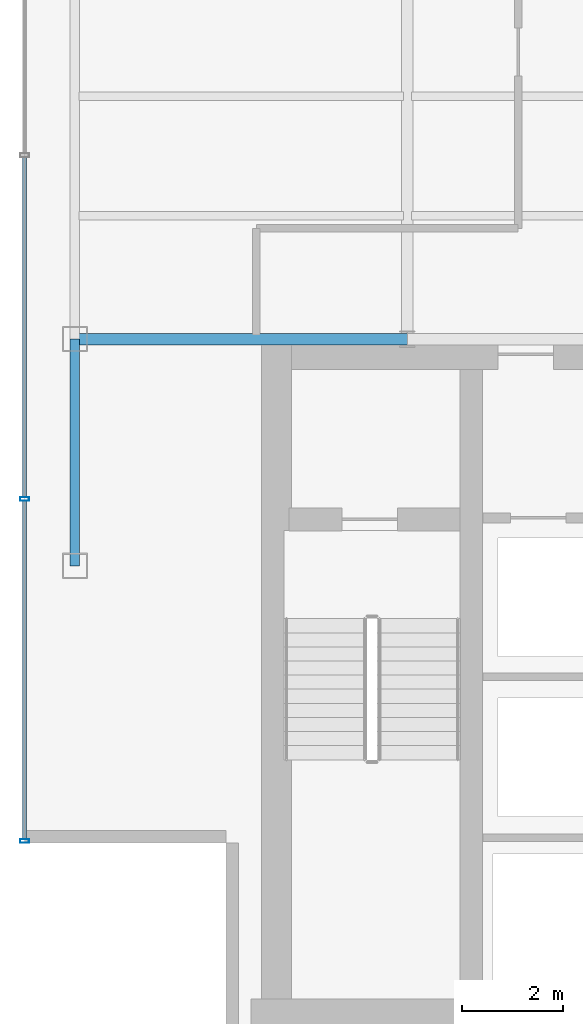
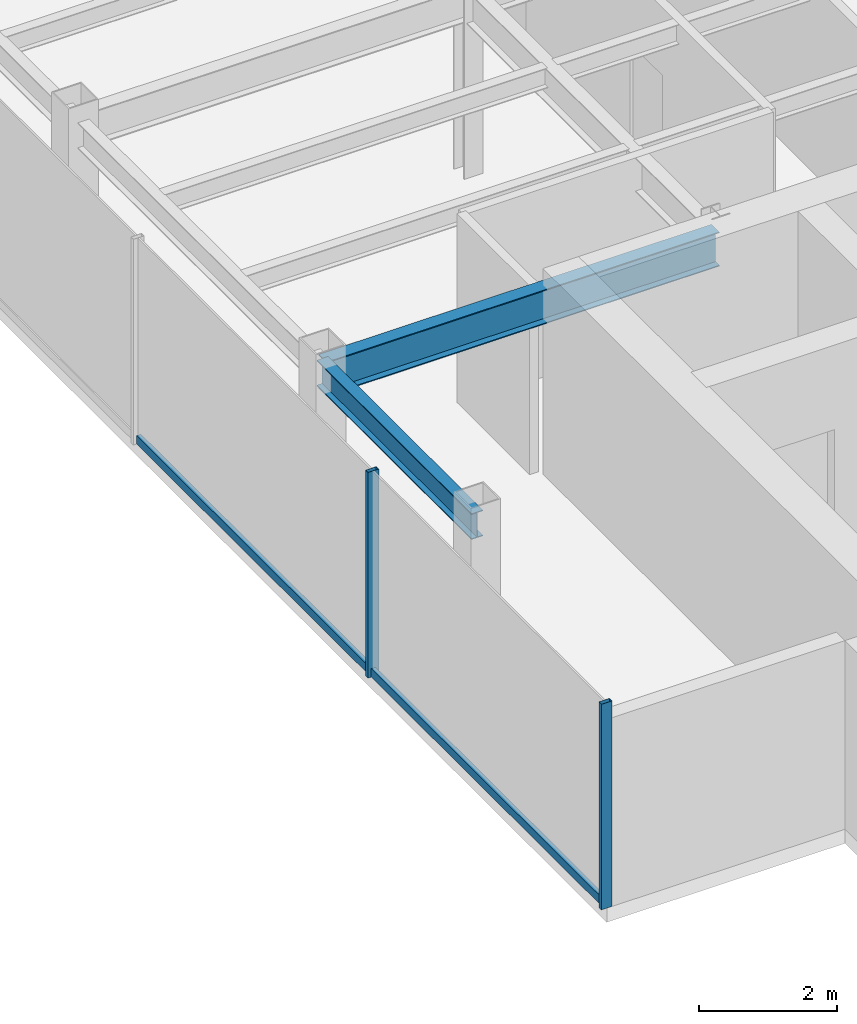
# One storey, part 3 of 22: 4 members, 2 beams, 1 element without a shape of its own.
"""IFC4 building model written with IfcOpenShell, lengths in metres."""

from ifc_helpers import new_model, si_unit, derived_unit, direction, frame, origin, origin_2d, place, context, subcontext, project, spatial, hollow_rectangle, i_section, extrude, source, transform, mapped, material, material_profile, profile_set, type_object, element, aggregate, save


model = new_model("IFC4")

# Units and contexts
model_context = context("Model", 3, precision=1e-05, world=origin(), true_north=direction((0.0, 1.0)))
body_context = subcontext(model_context, "Body", "Model", "MODEL_VIEW")
ifc_project = project(units=[si_unit("LENGTHUNIT", "METRE"), si_unit("AREAUNIT", "SQUARE_METRE"), si_unit("VOLUMEUNIT", "CUBIC_METRE"), si_unit("PLANEANGLEUNIT", "RADIAN"), si_unit("MASSUNIT", "GRAM", prefix="KILO"), derived_unit("THERMALTRANSMITTANCEUNIT", [(si_unit("POWERUNIT", "WATT"), 1), (si_unit("LENGTHUNIT", "METRE"), -2), (si_unit("THERMODYNAMICTEMPERATUREUNIT", "KELVIN"), -1)])], contexts=[model_context])

# Site, building, storey
site_placement = place(None, origin())
site = spatial("IfcSite", under=ifc_project, at=site_placement, CompositionType="ELEMENT")
building_placement = place(site_placement, origin())
building = spatial("IfcBuilding", under=site, at=building_placement, Name="Skarnbrae Concourse Arena and Tower", CompositionType="ELEMENT")
storey_placement = place(building_placement, frame((0.0, 0.0, 232.39990234375)))
storey = spatial("IfcBuildingStorey", under=building, at=storey_placement, Name="L60", CompositionType="ELEMENT", Elevation=232.39990234375)

# Beams
ifc_material_1 = material(Name="Steel CSA G40.21 350W", Category="steel")
ifc_material_profile_1 = material_profile(ifc_material_1, i_section(OverallWidth=0.22802734375, OverallDepth=0.60791015625, WebThickness=0.01123046875, FlangeThickness=0.017333984375, at=origin_2d()), Name="W610X113")
ifc_profile_set_1 = profile_set([ifc_material_profile_1], Name="Steel CSA G40.21 350W")
beam_type_1 = type_object("IfcBeamType", Name="BM-GIRD-W610X113", PredefinedType="BEAM", material=ifc_profile_set_1)
shared_shape_1 = source(origin(), body_context, "Body", "SweptSolid", [
    extrude(i_section(OverallWidth=0.22802734375, OverallDepth=0.60791015625, WebThickness=0.01123046875, FlangeThickness=0.017333984375, at=origin_2d()), origin(), (0.0, 0.0, 1.0), 6.60009765625),
])
beam_1_placement = place(storey_placement, frame((1.0, 14.0, 3.046142578125), z_axis=(1.0, 0.0, 0.0), x_axis=(0.0, 1.0, 0.0)))
element("IfcBeam", 1, at=beam_1_placement, inside=storey, type_object=beam_type_1, Name="L60 Primary E-W girder Y14.0-1", PredefinedType="BEAM", context=body_context, shape_type="MappedRepresentation", body=[
    mapped(shared_shape_1, transform((0.0, 0.0, 0.0))),
])
ifc_material_profile_2 = material_profile(ifc_material_1, i_section(OverallWidth=0.19091796875, OverallDepth=0.4599609375, WebThickness=0.010009765625, FlangeThickness=0.01611328125, at=origin_2d()), Name="W460X82")
ifc_profile_set_2 = profile_set([ifc_material_profile_2], Name="Steel CSA G40.21 350W")
beam_type_2 = type_object("IfcBeamType", Name="BM-SPAN-W460X82", PredefinedType="SPANDREL", material=ifc_profile_set_2)
shared_shape_2 = source(origin(), body_context, "Body", "SweptSolid", [
    extrude(i_section(OverallWidth=0.19091796875, OverallDepth=0.4599609375, WebThickness=0.010009765625, FlangeThickness=0.01611328125, at=origin_2d()), origin(), (0.0, 0.0, 1.0), 4.5),
])
beam_2_placement = place(storey_placement, frame((1.0, 9.5, 3.1201171875), z_axis=(0.0, 1.0, 0.0), x_axis=(-1.0, 0.0, 0.0)))
element("IfcBeam", 2, at=beam_2_placement, inside=storey, type_object=beam_type_2, Name="L60 Perimeter spandrel X1.0-1", PredefinedType="SPANDREL", context=body_context, shape_type="MappedRepresentation", body=[
    mapped(shared_shape_2, transform((0.0, 0.0, 0.0))),
])

# Curtain wall, members
ifc_material_2 = material(Name="Bronze anodised aluminium 6063-T6", Category="aluminium")
curtain_wall_type = type_object("IfcCurtainWallType", Name="CW-SYS-05-HIGHZONE", PredefinedType="USERDEFINED", material=ifc_material_2)
curtain_wall_placement = place(storey_placement, origin())
curtain_wall = element("IfcCurtainWall", 3, at=curtain_wall_placement, inside=storey, type_object=curtain_wall_type, Name="L60 Unitised curtain wall CW-L60-E18", ObjectType="UNITISED CURTAIN WALL", PredefinedType="USERDEFINED")
ifc_material_profile_3 = material_profile(ifc_material_2, hollow_rectangle(XDim=0.074951171875, YDim=0.14990234375, WallThickness=0.00390625, at=origin_2d()), Name="ALU-TRAN-75X150")
ifc_profile_set_3 = profile_set([ifc_material_profile_3], Name="Bronze anodised aluminium 6063-T6")
member_type_1 = type_object("IfcMemberType", Name="CWT-CW-05", PredefinedType="USERDEFINED", material=ifc_profile_set_3)
shared_shape_3 = source(origin(), body_context, "Body", "SweptSolid", [
    extrude(hollow_rectangle(XDim=0.074951171875, YDim=0.14990234375, WallThickness=0.00390625, at=origin_2d()), origin(), (0.0, 0.0, 1.0), 6.712646484375),
])
member_1_placement = place(storey_placement, frame((0.0, 10.78759765625, 0.0751953125), z_axis=(0.0, -1.0, 0.0), x_axis=(1.0, 0.0, 0.0)))
member_1 = element("IfcMember", 4, at=member_1_placement, type_object=member_type_1, Name="CW-L60-E18 Transom 4", ObjectType="TRANSOM", PredefinedType="USERDEFINED", context=body_context, shape_type="MappedRepresentation", body=[
    mapped(shared_shape_3, transform((0.0, 0.0, 0.0))),
])
shared_shape_4 = source(origin(), body_context, "Body", "SweptSolid", [
    extrude(hollow_rectangle(XDim=0.074951171875, YDim=0.14990234375, WallThickness=0.00390625, at=origin_2d()), origin(), (0.0, 0.0, 1.0), 6.75),
])
member_2_placement = place(storey_placement, frame((0.0, 17.612548828125, 0.0751953125), z_axis=(0.0, -1.0, 0.0), x_axis=(1.0, 0.0, 0.0)))
member_2 = element("IfcMember", 5, at=member_2_placement, type_object=member_type_1, Name="CW-L60-E18 Transom 3", ObjectType="TRANSOM", PredefinedType="USERDEFINED", context=body_context, shape_type="MappedRepresentation", body=[
    mapped(shared_shape_4, transform((0.0, 0.0, 0.0))),
])
ifc_material_profile_4 = material_profile(ifc_material_2, hollow_rectangle(XDim=0.074951171875, YDim=0.179931640625, WallThickness=0.00390625, at=origin_2d()), Name="ALU-MULL-75X180")
ifc_profile_set_4 = profile_set([ifc_material_profile_4], Name="Bronze anodised aluminium 6063-T6")
member_type_2 = type_object("IfcMemberType", Name="CWM-CW-05", PredefinedType="MULLION", material=ifc_profile_set_4)
shared_shape_5 = source(origin(), body_context, "Body", "SweptSolid", [
    extrude(hollow_rectangle(XDim=0.074951171875, YDim=0.179931640625, WallThickness=0.00390625, at=origin_2d()), origin(), (0.0, 0.0, 1.0), 3.650146484375),
])
member_3_placement = place(storey_placement, frame((0.0, 10.824951171875, 0.0), z_axis=(0.0, 0.0, 1.0), x_axis=(0.0, -1.0, 0.0)))
member_3 = element("IfcMember", 6, at=member_3_placement, type_object=member_type_2, Name="CW-L60-E18 Mullion 4", PredefinedType="MULLION", context=body_context, shape_type="MappedRepresentation", body=[
    mapped(shared_shape_5, transform((0.0, 0.0, 0.0))),
])
member_4_placement = place(storey_placement, frame((0.0, 4.03759765625, 0.0), z_axis=(0.0, 0.0, 1.0), x_axis=(0.0, -1.0, 0.0)))
member_4 = element("IfcMember", 7, at=member_4_placement, type_object=member_type_2, Name="CW-L60-E18 Mullion 5", PredefinedType="MULLION", context=body_context, shape_type="MappedRepresentation", body=[
    mapped(shared_shape_5, transform((0.0, 0.0, 0.0))),
])
aggregate(curtain_wall, [member_3, member_4, member_2, member_1])

save(model, "model.ifc")
